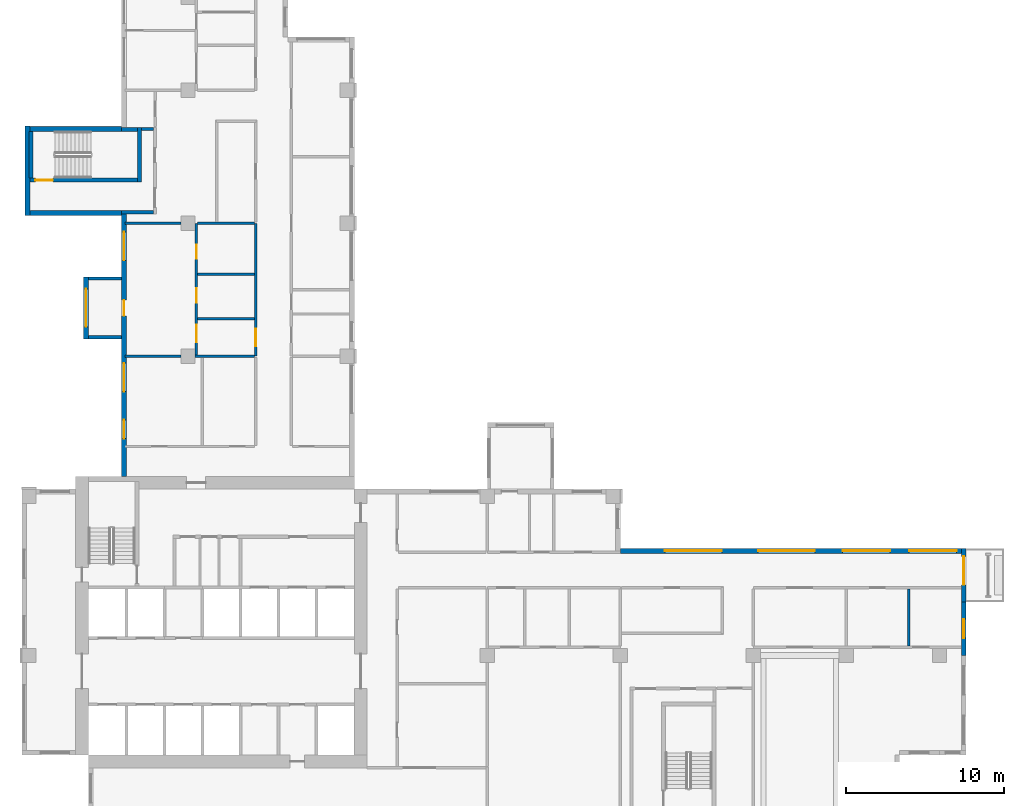
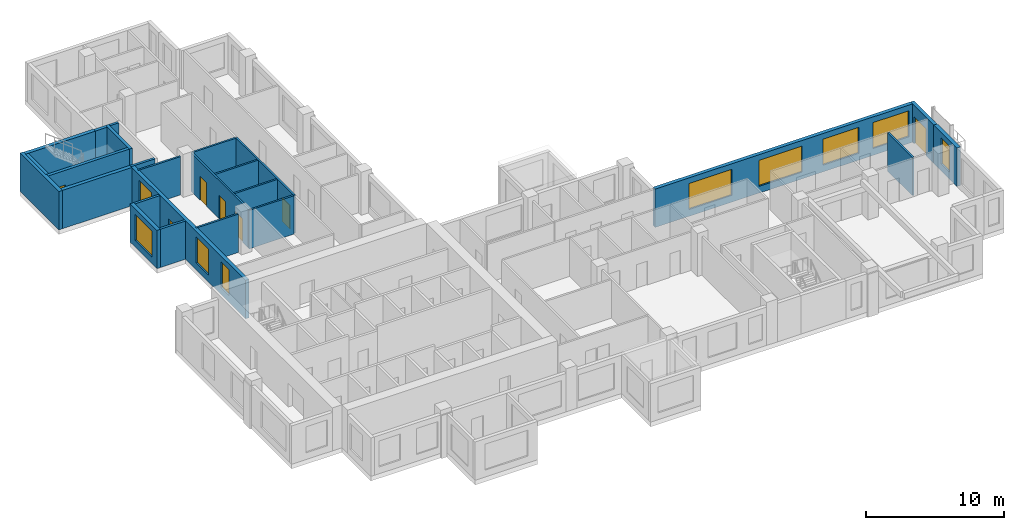
# One storey, part 6 of 12: 25 walls, 9 windows, 7 doors, 16 openings.
"""IFC4 building model written with IfcOpenShell, lengths in metres."""

from ifc_helpers import new_model, si_unit, direction, frame, frame_2d, origin, place, context, subcontext, project, spatial, rectangle, extrude, source, transform, mapped, material, layer, layer_set, type_object, element, fill, save


model = new_model("IFC4")

# Units and contexts
model_context = context("Model", 3, precision=1e-05, world=origin(), true_north=direction((0.0, 1.0)))
body_context = subcontext(model_context, "Body", "Model", "MODEL_VIEW")
ifc_project = project(units=[si_unit("LENGTHUNIT", "METRE"), si_unit("AREAUNIT", "SQUARE_METRE"), si_unit("VOLUMEUNIT", "CUBIC_METRE"), si_unit("PLANEANGLEUNIT", "RADIAN"), si_unit("MASSUNIT", "GRAM", prefix="KILO")], contexts=[model_context])

# Site, building, storey
site_placement = place(None, origin())
site = spatial("IfcSite", under=ifc_project, at=site_placement, CompositionType="ELEMENT")
building_placement = place(site_placement, origin())
building = spatial("IfcBuilding", under=site, at=building_placement, Name="Aurelian Terraces", CompositionType="ELEMENT")
storey_placement = place(building_placement, frame((0.0, 0.0, 196.8)))
storey = spatial("IfcBuildingStorey", under=building, at=storey_placement, Name="L43", CompositionType="ELEMENT", Elevation=196.8)

# Wall
ifc_material_1 = material(Name="Concrete fc' 40 MPa", Category="concrete")
ifc_layer_1 = layer(ifc_material_1, 0.2)
ifc_layer_set_1 = layer_set([ifc_layer_1], Name="BOX BEARING WALL 200")
wall_type_1 = type_object("IfcWallType", Name="BOX BEARING WALL 200", PredefinedType="SOLIDWALL", material=ifc_layer_set_1)
wall_1_placement = place(storey_placement, frame((6.3, 34.3, 0.0), z_axis=(0.0, 0.0, 1.0), x_axis=(-1.0, 0.0, 0.0)))
element("IfcWall", 1, at=wall_1_placement, inside=storey, type_object=wall_type_1, Name="Box return L43 J61.1", PredefinedType="SOLIDWALL", context=body_context, shape_type="SweptSolid", body=[
    extrude(rectangle(XDim=2.1, YDim=0.2, at=frame_2d((1.05, 0.0))), origin(), (0.0, 0.0, 1.0), 3.39),
])

# Wall, opening, window
ifc_layer_2 = layer(ifc_material_1, 0.3)
ifc_layer_set_2 = layer_set([ifc_layer_2], Name="BOX BEARING WALL 300")
wall_type_2 = type_object("IfcWallType", Name="BOX BEARING WALL 300", PredefinedType="SOLIDWALL", material=ifc_layer_set_2)
wall_2_placement = place(storey_placement, frame((4.05, 34.4, 0.0), z_axis=(0.0, 0.0, 1.0), x_axis=(0.0, -1.0, 0.0)))
wall_2 = element("IfcWall", 2, at=wall_2_placement, inside=storey, type_object=wall_type_2, Name="Box wall L43 J61", PredefinedType="SOLIDWALL", context=body_context, shape_type="SweptSolid", body=[
    extrude(rectangle(XDim=3.9, YDim=0.3, at=frame_2d((1.95, 0.0))), origin(), (0.0, 0.0, 1.0), 3.39),
])
shared_shape_1 = source(origin(), body_context, "Body", "SweptSolid", [
    extrude(rectangle(XDim=2.4, YDim=2.3, at=frame_2d((1.2, 1.15))), frame((0.0, 0.16, 0.0), z_axis=(0.0, -1.0, 0.0), x_axis=(1.0, 0.0, 0.0)), (0.0, 0.0, 1.0), 0.32),
])
opening_1_placement = place(wall_2_placement, frame((0.75, 0.0, 0.6)))
opening_1 = element("IfcOpeningElement", 3, at=opening_1_placement, cuts=wall_2, Name="Opening W2423", PredefinedType="OPENING", context=body_context, shape_type="MappedRepresentation", body=[
    mapped(shared_shape_1, transform((0.0, 0.0, 0.0), scale=1.0)),
])
ifc_material_2 = material(Name="Clear glazing", Category="glass")
window_type_1 = type_object("IfcWindowType", Name="W-2400x2300", PartitioningType="SINGLE_PANEL", PredefinedType="WINDOW", material=ifc_material_2)
shared_shape_2 = source(origin(), body_context, "Body", "SweptSolid", [
    extrude(rectangle(XDim=2.4, YDim=2.3, at=frame_2d((1.2, 1.15))), frame((0.0, 0.03, 0.0), z_axis=(0.0, -1.0, 0.0), x_axis=(1.0, 0.0, 0.0)), (0.0, 0.0, 1.0), 0.06),
])
window_1_placement = place(opening_1_placement, origin())
window_1 = element("IfcWindow", 4, at=window_1_placement, inside=storey, type_object=window_type_1, Name="Window L43 J61-F1", OverallHeight=2.3, OverallWidth=2.4, PartitioningType="SINGLE_PANEL", PredefinedType="WINDOW", context=body_context, shape_type="MappedRepresentation", body=[
    mapped(shared_shape_2, transform((0.0, 0.0, 0.0), scale=1.0)),
])
fill(opening_1, window_1)

# Walls
ifc_layer_3 = layer(ifc_material_1, 0.3)
ifc_layer_set_3 = layer_set([ifc_layer_3], Name="STAIR BAY WALL 300")
wall_type_3 = type_object("IfcWallType", Name="STAIR BAY WALL 300", PredefinedType="SOLIDWALL", material=ifc_layer_set_3)
shared_shape_3 = source(origin(), body_context, "Body", "SweptSolid", [
    extrude(rectangle(XDim=6.1, YDim=0.3, at=frame_2d((3.05, 0.0))), origin(), (0.0, 0.0, 1.0), 3.4),
])
for number, where, z_axis, x_axis, name in (
    (5, (6.3, 43.75, 0.0), (0.0, 0.0, 1.0), (-1.0, 0.0, 0.0), "Stair bay wall L43 F13.27"),
    (6, (0.2, 38.45, 0.0), (0.0, 0.0, 1.0), (1.0, 0.0, 0.0), "Stair bay wall L43 F15.29"),
):
    element("IfcWall", number, at=place(storey_placement, frame(where, z_axis=z_axis, x_axis=x_axis)), inside=storey, type_object=wall_type_3, Name=name, PredefinedType="SOLIDWALL", context=body_context, shape_type="MappedRepresentation", body=[
        mapped(shared_shape_3, transform((0.0, 0.0, 0.0), scale=1.0)),
    ])

# Wall, opening, window
ifc_material_3 = material(Name="Terracotta rainscreen cladding", Category="masonry")
ifc_layer_4 = layer(ifc_material_3, 0.3)
ifc_layer_set_4 = layer_set([ifc_layer_4], Name="EW-300")
wall_type_4 = type_object("IfcWallType", Name="EW-300", PredefinedType="STANDARD", material=ifc_layer_set_4)
shared_shape_4 = source(origin(), body_context, "Body", "SweptSolid", [
    extrude(rectangle(XDim=3.375, YDim=0.3, at=frame_2d((1.6875, 0.0))), origin(), (0.0, 0.0, 1.0), 3.4),
])
wall_3_placement = place(storey_placement, frame((59.49, 10.5, 0.0), z_axis=(0.0, 0.0, 1.0), x_axis=(0.0, 1.0, 0.0)))
wall_3 = element("IfcWall", 7, at=wall_3_placement, inside=storey, type_object=wall_type_4, Name="External wall L43 F04.12", PredefinedType="STANDARD", context=body_context, shape_type="MappedRepresentation", body=[
    mapped(shared_shape_4, transform((0.0, 0.0, 0.0), scale=1.0)),
])
shared_shape_5 = source(origin(), body_context, "Body", "SweptSolid", [
    extrude(rectangle(XDim=1.2, YDim=2.3, at=frame_2d((0.6, 1.15))), frame((0.0, 0.16, 0.0), z_axis=(0.0, -1.0, 0.0), x_axis=(1.0, 0.0, 0.0)), (0.0, 0.0, 1.0), 0.32),
])
opening_2_placement = place(wall_3_placement, frame((1.0875, 0.0, 0.6)))
opening_2 = element("IfcOpeningElement", 8, at=opening_2_placement, cuts=wall_3, Name="Opening W1223", PredefinedType="OPENING", context=body_context, shape_type="MappedRepresentation", body=[
    mapped(shared_shape_5, transform((0.0, 0.0, 0.0), scale=1.0)),
])
window_type_2 = type_object("IfcWindowType", Name="W-1200x2300", PartitioningType="SINGLE_PANEL", PredefinedType="WINDOW", material=ifc_material_2)
shared_shape_6 = source(origin(), body_context, "Body", "SweptSolid", [
    extrude(rectangle(XDim=1.2, YDim=2.3, at=frame_2d((0.6, 1.15))), frame((0.0, 0.03, 0.0), z_axis=(0.0, -1.0, 0.0), x_axis=(1.0, 0.0, 0.0)), (0.0, 0.0, 1.0), 0.06),
])
window_2_placement = place(opening_2_placement, origin())
window_2 = element("IfcWindow", 9, at=window_2_placement, inside=storey, type_object=window_type_2, Name="Window L43 L43-F04-12-0", OverallHeight=2.3, OverallWidth=1.2, PartitioningType="SINGLE_PANEL", PredefinedType="WINDOW", context=body_context, shape_type="MappedRepresentation", body=[
    mapped(shared_shape_6, transform((0.0, 0.0, 0.0), scale=1.0)),
])
fill(opening_2, window_2)

# Wall, opening, door
wall_4_placement = place(storey_placement, frame((59.49, 13.875, 0.0), z_axis=(0.0, 0.0, 1.0), x_axis=(0.0, 1.0, 0.0)))
wall_4 = element("IfcWall", 10, at=wall_4_placement, inside=storey, type_object=wall_type_4, Name="External wall L43 F04.13", PredefinedType="STANDARD", context=body_context, shape_type="MappedRepresentation", body=[
    mapped(shared_shape_4, transform((0.0, 0.0, 0.0), scale=1.0)),
])
shared_shape_7 = source(origin(), body_context, "Body", "SweptSolid", [
    extrude(rectangle(XDim=1.8, YDim=2.4, at=frame_2d((0.9, 1.2))), frame((0.0, 0.16, 0.0), z_axis=(0.0, -1.0, 0.0), x_axis=(1.0, 0.0, 0.0)), (0.0, 0.0, 1.0), 0.32),
])
opening_3_placement = place(wall_4_placement, frame((1.0875, 0.0, 0.0)))
opening_3 = element("IfcOpeningElement", 11, at=opening_3_placement, cuts=wall_4, Name="Opening 84301", PredefinedType="OPENING", context=body_context, shape_type="MappedRepresentation", body=[
    mapped(shared_shape_7, transform((0.0, 0.0, 0.0), scale=1.0)),
])
door_type_1 = type_object("IfcDoorType", Name="BD-1800x2400", OperationType="SLIDING_TO_LEFT", PredefinedType="DOOR", material=ifc_material_2)
shared_shape_8 = source(origin(), body_context, "Body", "SweptSolid", [
    extrude(rectangle(XDim=1.8, YDim=2.4, at=frame_2d((0.9, 1.2))), frame((0.0, 0.025, 0.0), z_axis=(0.0, -1.0, 0.0), x_axis=(1.0, 0.0, 0.0)), (0.0, 0.0, 1.0), 0.05),
])
door_1_placement = place(opening_3_placement, origin())
door_1 = element("IfcDoor", 12, at=door_1_placement, inside=storey, type_object=door_type_1, Name="Balcony door L43 F04.13", OperationType="SLIDING_TO_LEFT", OverallHeight=2.4, OverallWidth=1.8, PredefinedType="DOOR", context=body_context, shape_type="MappedRepresentation", body=[
    mapped(shared_shape_8, transform((0.0, 0.0, 0.0), scale=1.0)),
])
fill(opening_3, door_1)

# Wall, openings, windows
shared_shape_9 = source(origin(), body_context, "Body", "SweptSolid", [
    extrude(rectangle(XDim=21.84, YDim=0.3, at=frame_2d((10.92, 0.0))), origin(), (0.0, 0.0, 1.0), 3.4),
])
wall_5_placement = place(storey_placement, frame((59.64, 17.1, 0.0), z_axis=(0.0, 0.0, 1.0), x_axis=(-1.0, 0.0, 0.0)))
wall_5 = element("IfcWall", 13, at=wall_5_placement, inside=storey, type_object=wall_type_4, Name="External wall L43 F05.14", PredefinedType="STANDARD", context=body_context, shape_type="MappedRepresentation", body=[
    mapped(shared_shape_9, transform((0.0, 0.0, 0.0), scale=1.0)),
])
shared_shape_10 = source(origin(), body_context, "Body", "SweptSolid", [
    extrude(rectangle(XDim=3.0, YDim=2.3, at=frame_2d((1.5, 1.15))), frame((0.0, 0.16, 0.0), z_axis=(0.0, -1.0, 0.0), x_axis=(1.0, 0.0, 0.0)), (0.0, 0.0, 1.0), 0.32),
])
opening_4_placement = place(wall_5_placement, frame((0.6, 0.0, 0.6)))
opening_4 = element("IfcOpeningElement", 14, at=opening_4_placement, cuts=wall_5, Name="Opening W3023", PredefinedType="OPENING", context=body_context, shape_type="MappedRepresentation", body=[
    mapped(shared_shape_10, transform((0.0, 0.0, 0.0), scale=1.0)),
])
opening_5_placement = place(wall_5_placement, frame((4.8, 0.0, 0.6)))
opening_5 = element("IfcOpeningElement", 15, at=opening_5_placement, cuts=wall_5, Name="Opening W3023", PredefinedType="OPENING", context=body_context, shape_type="MappedRepresentation", body=[
    mapped(shared_shape_10, transform((0.0, 0.0, 0.0), scale=1.0)),
])
shared_shape_11 = source(origin(), body_context, "Body", "SweptSolid", [
    extrude(rectangle(XDim=3.6, YDim=2.3, at=frame_2d((1.8, 1.15))), frame((0.0, 0.16, 0.0), z_axis=(0.0, -1.0, 0.0), x_axis=(1.0, 0.0, 0.0)), (0.0, 0.0, 1.0), 0.32),
])
opening_6_placement = place(wall_5_placement, frame((9.54, 0.0, 0.6)))
opening_6 = element("IfcOpeningElement", 16, at=opening_6_placement, cuts=wall_5, Name="Opening W3623", PredefinedType="OPENING", context=body_context, shape_type="MappedRepresentation", body=[
    mapped(shared_shape_11, transform((0.0, 0.0, 0.0), scale=1.0)),
])
opening_7_placement = place(wall_5_placement, frame((15.42, 0.0, 0.6)))
opening_7 = element("IfcOpeningElement", 17, at=opening_7_placement, cuts=wall_5, Name="Opening W3623", PredefinedType="OPENING", context=body_context, shape_type="MappedRepresentation", body=[
    mapped(shared_shape_11, transform((0.0, 0.0, 0.0), scale=1.0)),
])
window_type_3 = type_object("IfcWindowType", Name="W-3600x2300", PartitioningType="SINGLE_PANEL", PredefinedType="WINDOW", material=ifc_material_2)
shared_shape_12 = source(origin(), body_context, "Body", "SweptSolid", [
    extrude(rectangle(XDim=3.6, YDim=2.3, at=frame_2d((1.8, 1.15))), frame((0.0, 0.03, 0.0), z_axis=(0.0, -1.0, 0.0), x_axis=(1.0, 0.0, 0.0)), (0.0, 0.0, 1.0), 0.06),
])
window_3_placement = place(opening_6_placement, origin())
window_3 = element("IfcWindow", 18, at=window_3_placement, inside=storey, type_object=window_type_3, Name="Window L43 L43-F05-14-2", OverallHeight=2.3, OverallWidth=3.6, PartitioningType="SINGLE_PANEL", PredefinedType="WINDOW", context=body_context, shape_type="MappedRepresentation", body=[
    mapped(shared_shape_12, transform((0.0, 0.0, 0.0), scale=1.0)),
])
fill(opening_6, window_3)
window_4_placement = place(opening_7_placement, origin())
window_4 = element("IfcWindow", 19, at=window_4_placement, inside=storey, type_object=window_type_3, Name="Window L43 L43-F05-14-3", OverallHeight=2.3, OverallWidth=3.6, PartitioningType="SINGLE_PANEL", PredefinedType="WINDOW", context=body_context, shape_type="MappedRepresentation", body=[
    mapped(shared_shape_12, transform((0.0, 0.0, 0.0), scale=1.0)),
])
fill(opening_7, window_4)
window_type_4 = type_object("IfcWindowType", Name="W-3000x2300", PartitioningType="SINGLE_PANEL", PredefinedType="WINDOW", material=ifc_material_2)
shared_shape_13 = source(origin(), body_context, "Body", "SweptSolid", [
    extrude(rectangle(XDim=3.0, YDim=2.3, at=frame_2d((1.5, 1.15))), frame((0.0, 0.03, 0.0), z_axis=(0.0, -1.0, 0.0), x_axis=(1.0, 0.0, 0.0)), (0.0, 0.0, 1.0), 0.06),
])
window_5_placement = place(opening_4_placement, origin())
window_5 = element("IfcWindow", 20, at=window_5_placement, inside=storey, type_object=window_type_4, Name="Window L43 L43-F05-14-0", OverallHeight=2.3, OverallWidth=3.0, PartitioningType="SINGLE_PANEL", PredefinedType="WINDOW", context=body_context, shape_type="MappedRepresentation", body=[
    mapped(shared_shape_13, transform((0.0, 0.0, 0.0), scale=1.0)),
])
fill(opening_4, window_5)
window_6_placement = place(opening_5_placement, origin())
window_6 = element("IfcWindow", 21, at=window_6_placement, inside=storey, type_object=window_type_4, Name="Window L43 L43-F05-14-1", OverallHeight=2.3, OverallWidth=3.0, PartitioningType="SINGLE_PANEL", PredefinedType="WINDOW", context=body_context, shape_type="MappedRepresentation", body=[
    mapped(shared_shape_13, transform((0.0, 0.0, 0.0), scale=1.0)),
])
fill(opening_5, window_6)

# Wall
shared_shape_14 = source(origin(), body_context, "Body", "SweptSolid", [
    extrude(rectangle(XDim=5.65, YDim=0.3, at=frame_2d((2.825, 0.0))), origin(), (0.0, 0.0, 1.0), 3.4),
])
wall_6_placement = place(storey_placement, frame((0.35, 43.95, 0.0), z_axis=(0.0, 0.0, 1.0), x_axis=(0.0, -1.0, 0.0)))
element("IfcWall", 22, at=wall_6_placement, inside=storey, type_object=wall_type_3, Name="Stair bay wall L43 F14.28", PredefinedType="SOLIDWALL", context=body_context, shape_type="MappedRepresentation", body=[
    mapped(shared_shape_14, transform((0.0, 0.0, 0.0), scale=1.0)),
])

# Wall, openings, windows, door
shared_shape_15 = source(origin(), body_context, "Body", "SweptSolid", [
    extrude(rectangle(XDim=16.6, YDim=0.3, at=frame_2d((8.3, 0.0))), origin(), (0.0, 0.0, 1.0), 3.4),
])
wall_7_placement = place(storey_placement, frame((6.45, 38.4, 0.0), z_axis=(0.0, 0.0, 1.0), x_axis=(0.0, -1.0, 0.0)))
wall_7 = element("IfcWall", 23, at=wall_7_placement, inside=storey, type_object=wall_type_4, Name="External wall L43 F16.30", PredefinedType="STANDARD", context=body_context, shape_type="MappedRepresentation", body=[
    mapped(shared_shape_15, transform((0.0, 0.0, 0.0), scale=1.0)),
])
shared_shape_16 = source(origin(), body_context, "Body", "SweptSolid", [
    extrude(rectangle(XDim=1.8, YDim=2.3, at=frame_2d((0.9, 1.15))), frame((0.0, 0.16, 0.0), z_axis=(0.0, -1.0, 0.0), x_axis=(1.0, 0.0, 0.0)), (0.0, 0.0, 1.0), 0.32),
])
opening_8_placement = place(wall_7_placement, frame((1.15, 0.0, 0.6)))
opening_8 = element("IfcOpeningElement", 24, at=opening_8_placement, cuts=wall_7, Name="Opening W1823", PredefinedType="OPENING", context=body_context, shape_type="MappedRepresentation", body=[
    mapped(shared_shape_16, transform((0.0, 0.0, 0.0), scale=1.0)),
])
opening_9_placement = place(wall_7_placement, frame((9.4375, 0.0, 0.6)))
opening_9 = element("IfcOpeningElement", 25, at=opening_9_placement, cuts=wall_7, Name="Opening W1823", PredefinedType="OPENING", context=body_context, shape_type="MappedRepresentation", body=[
    mapped(shared_shape_16, transform((0.0, 0.0, 0.0), scale=1.0)),
])
opening_10_placement = place(wall_7_placement, frame((13.0125, 0.0, 0.6)))
opening_10 = element("IfcOpeningElement", 26, at=opening_10_placement, cuts=wall_7, Name="Opening W1223", PredefinedType="OPENING", context=body_context, shape_type="MappedRepresentation", body=[
    mapped(shared_shape_5, transform((0.0, 0.0, 0.0), scale=1.0)),
])
shared_shape_17 = source(origin(), body_context, "Body", "SweptSolid", [
    extrude(rectangle(XDim=1.0, YDim=2.1, at=frame_2d((0.5, 1.05))), frame((0.0, 0.16, 0.0), z_axis=(0.0, -1.0, 0.0), x_axis=(1.0, 0.0, 0.0)), (0.0, 0.0, 1.0), 0.32),
])
opening_11_placement = place(wall_7_placement, frame((5.45, 0.0, 0.0)))
opening_11 = element("IfcOpeningElement", 27, at=opening_11_placement, cuts=wall_7, Name="Opening 843004", PredefinedType="OPENING", context=body_context, shape_type="MappedRepresentation", body=[
    mapped(shared_shape_17, transform((0.0, 0.0, 0.0), scale=1.0)),
])
window_7_placement = place(opening_10_placement, origin())
window_7 = element("IfcWindow", 28, at=window_7_placement, inside=storey, type_object=window_type_2, Name="Window L43 L43-F16-30-3", OverallHeight=2.3, OverallWidth=1.2, PartitioningType="SINGLE_PANEL", PredefinedType="WINDOW", context=body_context, shape_type="MappedRepresentation", body=[
    mapped(shared_shape_6, transform((0.0, 0.0, 0.0), scale=1.0)),
])
fill(opening_10, window_7)
window_type_5 = type_object("IfcWindowType", Name="W-1800x2300", PartitioningType="SINGLE_PANEL", PredefinedType="WINDOW", material=ifc_material_2)
shared_shape_18 = source(origin(), body_context, "Body", "SweptSolid", [
    extrude(rectangle(XDim=1.8, YDim=2.3, at=frame_2d((0.9, 1.15))), frame((0.0, 0.03, 0.0), z_axis=(0.0, -1.0, 0.0), x_axis=(1.0, 0.0, 0.0)), (0.0, 0.0, 1.0), 0.06),
])
window_8_placement = place(opening_8_placement, origin())
window_8 = element("IfcWindow", 29, at=window_8_placement, inside=storey, type_object=window_type_5, Name="Window L43 L43-F16-30-0", OverallHeight=2.3, OverallWidth=1.8, PartitioningType="SINGLE_PANEL", PredefinedType="WINDOW", context=body_context, shape_type="MappedRepresentation", body=[
    mapped(shared_shape_18, transform((0.0, 0.0, 0.0), scale=1.0)),
])
fill(opening_8, window_8)
window_9_placement = place(opening_9_placement, origin())
window_9 = element("IfcWindow", 30, at=window_9_placement, inside=storey, type_object=window_type_5, Name="Window L43 L43-F16-30-2", OverallHeight=2.3, OverallWidth=1.8, PartitioningType="SINGLE_PANEL", PredefinedType="WINDOW", context=body_context, shape_type="MappedRepresentation", body=[
    mapped(shared_shape_18, transform((0.0, 0.0, 0.0), scale=1.0)),
])
fill(opening_9, window_9)
ifc_material_4 = material(Name="Timber door leaf", Category="wood")
door_type_2 = type_object("IfcDoorType", Name="Room door 1000x2100 left", OperationType="SINGLE_SWING_LEFT", PredefinedType="DOOR", material=ifc_material_4)
shared_shape_19 = source(origin(), body_context, "Body", "SweptSolid", [
    extrude(rectangle(XDim=1.0, YDim=2.1, at=frame_2d((0.5, 1.05))), frame((0.0, 0.025, 0.0), z_axis=(0.0, -1.0, 0.0), x_axis=(1.0, 0.0, 0.0)), (0.0, 0.0, 1.0), 0.05),
])
door_2_placement = place(opening_11_placement, origin())
door_2 = element("IfcDoor", 31, at=door_2_placement, inside=storey, type_object=door_type_2, Name="Door 843004", OperationType="SINGLE_SWING_LEFT", OverallHeight=2.1, OverallWidth=1.0, PredefinedType="DOOR", context=body_context, shape_type="MappedRepresentation", body=[
    mapped(shared_shape_19, transform((0.0, 0.0, 0.0), scale=1.0)),
])
fill(opening_11, door_2)

# Wall
shared_shape_20 = source(origin(), body_context, "Body", "SweptSolid", [
    extrude(rectangle(XDim=2.1, YDim=0.2, at=frame_2d((1.05, 0.0))), origin(), (0.0, 0.0, 1.0), 3.39),
])
wall_8_placement = place(storey_placement, frame((6.3, 30.6, 0.0), z_axis=(0.0, 0.0, 1.0), x_axis=(-1.0, 0.0, 0.0)))
element("IfcWall", 32, at=wall_8_placement, inside=storey, type_object=wall_type_1, Name="Box return L43 J61.2", PredefinedType="SOLIDWALL", context=body_context, shape_type="MappedRepresentation", body=[
    mapped(shared_shape_20, transform((0.0, 0.0, 0.0), scale=1.0)),
])

# Wall, opening, door
ifc_layer_5 = layer(ifc_material_1, 0.25)
ifc_layer_set_5 = layer_set([ifc_layer_5], Name="Stair enclosure wall 250")
wall_type_5 = type_object("IfcWallType", Name="Stair enclosure wall 250", PredefinedType="SOLIDWALL", material=ifc_layer_set_5)
shared_shape_21 = source(origin(), body_context, "Body", "SweptSolid", [
    extrude(rectangle(XDim=7.0, YDim=0.25, at=frame_2d((3.5, 0.0))), origin(), (0.0, 0.0, 1.0), 3.4),
])
wall_9_placement = place(storey_placement, frame((0.3, 40.525, 0.0), z_axis=(0.0, 0.0, 1.0), x_axis=(1.0, 0.0, 0.0)))
wall_9 = element("IfcWall", 33, at=wall_9_placement, inside=storey, type_object=wall_type_5, Name="L43 core wall ST-S3-W", PredefinedType="SOLIDWALL", context=body_context, shape_type="MappedRepresentation", body=[
    mapped(shared_shape_21, transform((0.0, 0.0, 0.0), scale=1.0)),
])
shared_shape_22 = source(origin(), body_context, "Body", "SweptSolid", [
    extrude(rectangle(XDim=1.1, YDim=2.1, at=frame_2d((0.55, 1.05))), frame((0.0, 0.135, 0.0), z_axis=(0.0, -1.0, 0.0), x_axis=(1.0, 0.0, 0.0)), (0.0, 0.0, 1.0), 0.27),
])
opening_12_placement = place(wall_9_placement, frame((0.55, 0.0, 0.0)))
opening_12 = element("IfcOpeningElement", 34, at=opening_12_placement, cuts=wall_9, Name="Opening 64620", PredefinedType="OPENING", context=body_context, shape_type="MappedRepresentation", body=[
    mapped(shared_shape_22, transform((0.0, 0.0, 0.0), scale=1.0)),
])
ifc_material_5 = material(Name="Steel door leaf", Category="steel")
door_type_3 = type_object("IfcDoorType", Name="Core fire door 1100x2100", OperationType="SINGLE_SWING_LEFT", PredefinedType="DOOR", material=ifc_material_5)
shared_shape_23 = source(origin(), body_context, "Body", "SweptSolid", [
    extrude(rectangle(XDim=1.1, YDim=2.1, at=frame_2d((0.55, 1.05))), frame((0.0, 0.025, 0.0), z_axis=(0.0, -1.0, 0.0), x_axis=(1.0, 0.0, 0.0)), (0.0, 0.0, 1.0), 0.05),
])
door_3_placement = place(opening_12_placement, origin())
door_3 = element("IfcDoor", 35, at=door_3_placement, inside=storey, type_object=door_type_3, Name="Stair door 64620", OperationType="SINGLE_SWING_LEFT", OverallHeight=2.1, OverallWidth=1.1, PredefinedType="DOOR", context=body_context, shape_type="MappedRepresentation", body=[
    mapped(shared_shape_23, transform((0.0, 0.0, 0.0), scale=1.0)),
])
fill(opening_12, door_3)

# Walls
shared_shape_24 = source(origin(), body_context, "Body", "SweptSolid", [
    extrude(rectangle(XDim=3.45, YDim=0.25, at=frame_2d((1.725, 0.0))), origin(), (0.0, 0.0, 1.0), 3.4),
])
wall_10_placement = place(storey_placement, frame((7.425, 40.4, 0.0), z_axis=(0.0, 0.0, 1.0), x_axis=(0.0, 1.0, 0.0)))
element("IfcWall", 36, at=wall_10_placement, inside=storey, type_object=wall_type_5, Name="L43 core wall ST-S3-N", PredefinedType="SOLIDWALL", context=body_context, shape_type="MappedRepresentation", body=[
    mapped(shared_shape_24, transform((0.0, 0.0, 0.0), scale=1.0)),
])
shared_shape_25 = source(origin(), body_context, "Body", "SweptSolid", [
    extrude(rectangle(XDim=2.95, YDim=0.25, at=frame_2d((1.475, 0.0))), origin(), (0.0, 0.0, 1.0), 3.4),
])
wall_11_placement = place(storey_placement, frame((0.575, 40.65, 0.0), z_axis=(0.0, 0.0, 1.0), x_axis=(0.0, 1.0, 0.0)))
element("IfcWall", 37, at=wall_11_placement, inside=storey, type_object=wall_type_5, Name="L43 core wall ST-S3-SS", PredefinedType="SOLIDWALL", context=body_context, shape_type="MappedRepresentation", body=[
    mapped(shared_shape_25, transform((0.0, 0.0, 0.0), scale=1.0)),
])
ifc_material_6 = material(Name="Gypsum board on steel studs", Category="steel")
ifc_layer_6 = layer(ifc_material_6, 0.2)
ifc_layer_set_6 = layer_set([ifc_layer_6], Name="Core partition 200")
wall_type_6 = type_object("IfcWallType", Name="Core partition 200", PredefinedType="PARTITIONING", material=ifc_layer_set_6)
shared_shape_26 = source(origin(), body_context, "Body", "SweptSolid", [
    extrude(rectangle(XDim=0.75, YDim=0.2, at=frame_2d((0.375, 0.0))), origin(), (0.0, 0.0, 1.0), 3.4),
])
wall_12_placement = place(storey_placement, frame((7.55, 43.75, 0.0), z_axis=(0.0, 0.0, 1.0), x_axis=(1.0, 0.0, 0.0)))
element("IfcWall", 38, at=wall_12_placement, inside=storey, type_object=wall_type_6, Name="L43 core wall ST-S3-RE", PredefinedType="PARTITIONING", context=body_context, shape_type="MappedRepresentation", body=[
    mapped(shared_shape_26, transform((0.0, 0.0, 0.0), scale=1.0)),
])
shared_shape_27 = source(origin(), body_context, "Body", "SweptSolid", [
    extrude(rectangle(XDim=1.0, YDim=0.25, at=frame_2d((0.5, 0.0))), origin(), (0.0, 0.0, 1.0), 3.4),
])
wall_13_placement = place(storey_placement, frame((6.3, 43.725, 0.0), z_axis=(0.0, 0.0, 1.0), x_axis=(1.0, 0.0, 0.0)))
element("IfcWall", 39, at=wall_13_placement, inside=storey, type_object=wall_type_5, Name="L43 core wall ST-S3-E", PredefinedType="SOLIDWALL", context=body_context, shape_type="MappedRepresentation", body=[
    mapped(shared_shape_27, transform((0.0, 0.0, 0.0), scale=1.0)),
])
shared_shape_28 = source(origin(), body_context, "Body", "SweptSolid", [
    extrude(rectangle(XDim=2.0, YDim=0.2, at=frame_2d((1.0, 0.0))), origin(), (0.0, 0.0, 1.0), 3.4),
])
wall_14_placement = place(storey_placement, frame((6.3, 38.5, 0.0), z_axis=(0.0, 0.0, 1.0), x_axis=(1.0, 0.0, 0.0)))
element("IfcWall", 40, at=wall_14_placement, inside=storey, type_object=wall_type_6, Name="L43 core wall ST-S3-VW", PredefinedType="PARTITIONING", context=body_context, shape_type="MappedRepresentation", body=[
    mapped(shared_shape_28, transform((0.0, 0.0, 0.0), scale=1.0)),
])
ifc_layer_7 = layer(ifc_material_6, 0.15)
ifc_layer_set_7 = layer_set([ifc_layer_7], Name="Partition 150")
wall_type_7 = type_object("IfcWallType", Name="Partition 150", PredefinedType="PARTITIONING", material=ifc_layer_set_7)
shared_shape_29 = source(origin(), body_context, "Body", "SweptSolid", [
    extrude(rectangle(XDim=3.6, YDim=0.15, at=frame_2d((1.8, 0.0))), origin(), (0.0, 0.0, 1.0), 3.4),
])
for number, where, z_axis, x_axis, name in (
    (41, (56.0269, 11.1, 0.0), (0.0, 0.0, 1.0), (0.0, 1.0, 0.0), "Partition"),
    (42, (14.7, 31.7771, 0.0), (0.0, 0.0, 1.0), (-1.0, 0.0, 0.0), "Partition"),
    (43, (14.7, 34.5827, 0.0), (0.0, 0.0, 1.0), (-1.0, 0.0, 0.0), "Partition"),
):
    element("IfcWall", number, at=place(storey_placement, frame(where, z_axis=z_axis, x_axis=x_axis)), inside=storey, type_object=wall_type_7, Name=name, PredefinedType="PARTITIONING", context=body_context, shape_type="MappedRepresentation", body=[
        mapped(shared_shape_29, transform((0.0, 0.0, 0.0), scale=1.0)),
    ])
ifc_layer_8 = layer(ifc_material_6, 0.15)
ifc_layer_set_8 = layer_set([ifc_layer_8], Name="Fire partition 150")
wall_type_8 = type_object("IfcWallType", Name="Fire partition 150", PredefinedType="PARTITIONING", material=ifc_layer_set_8)
wall_15_placement = place(storey_placement, frame((14.7, 37.8, 0.0), z_axis=(0.0, 0.0, 1.0), x_axis=(-1.0, 0.0, 0.0)))
element("IfcWall", 44, at=wall_15_placement, inside=storey, type_object=wall_type_8, Name="Party wall", PredefinedType="PARTITIONING", context=body_context, shape_type="MappedRepresentation", body=[
    mapped(shared_shape_29, transform((0.0, 0.0, 0.0), scale=1.0)),
])

# Wall, openings, doors
shared_shape_30 = source(origin(), body_context, "Body", "SweptSolid", [
    extrude(rectangle(XDim=8.4, YDim=0.15, at=frame_2d((4.2, 0.0))), origin(), (0.0, 0.0, 1.0), 3.4),
])
wall_16_placement = place(storey_placement, frame((11.025, 29.4, 0.0), z_axis=(0.0, 0.0, 1.0), x_axis=(0.0, 1.0, 0.0)))
wall_16 = element("IfcWall", 45, at=wall_16_placement, inside=storey, type_object=wall_type_7, Name="Partition", PredefinedType="PARTITIONING", context=body_context, shape_type="MappedRepresentation", body=[
    mapped(shared_shape_30, transform((0.0, 0.0, 0.0), scale=1.0)),
])
shared_shape_31 = source(origin(), body_context, "Body", "SweptSolid", [
    extrude(rectangle(XDim=1.1, YDim=2.1, at=frame_2d((0.55, 1.05))), frame((0.0, 0.085, 0.0), z_axis=(0.0, -1.0, 0.0), x_axis=(1.0, 0.0, 0.0)), (0.0, 0.0, 1.0), 0.17),
])
opening_13_placement = place(wall_16_placement, frame((0.876, 0.0, 0.0)))
opening_13 = element("IfcOpeningElement", 46, at=opening_13_placement, cuts=wall_16, Name="Opening 743025", PredefinedType="OPENING", context=body_context, shape_type="MappedRepresentation", body=[
    mapped(shared_shape_31, transform((0.0, 0.0, 0.0), scale=1.0)),
])
shared_shape_32 = source(origin(), body_context, "Body", "SweptSolid", [
    extrude(rectangle(XDim=0.9, YDim=2.1, at=frame_2d((0.45, 1.05))), frame((0.0, 0.085, 0.0), z_axis=(0.0, -1.0, 0.0), x_axis=(1.0, 0.0, 0.0)), (0.0, 0.0, 1.0), 0.17),
])
opening_14_placement = place(wall_16_placement, frame((3.3799, 0.0, 0.0)))
opening_14 = element("IfcOpeningElement", 47, at=opening_14_placement, cuts=wall_16, Name="Opening 743026", PredefinedType="OPENING", context=body_context, shape_type="MappedRepresentation", body=[
    mapped(shared_shape_32, transform((0.0, 0.0, 0.0), scale=1.0)),
])
opening_15_placement = place(wall_16_placement, frame((6.1538, 0.0, 0.0)))
opening_15 = element("IfcOpeningElement", 48, at=opening_15_placement, cuts=wall_16, Name="Opening 743027", PredefinedType="OPENING", context=body_context, shape_type="MappedRepresentation", body=[
    mapped(shared_shape_32, transform((0.0, 0.0, 0.0), scale=1.0)),
])
door_type_4 = type_object("IfcDoorType", Name="Room door 900x2100 right", OperationType="SINGLE_SWING_RIGHT", PredefinedType="DOOR", material=ifc_material_4)
shared_shape_33 = source(origin(), body_context, "Body", "SweptSolid", [
    extrude(rectangle(XDim=0.9, YDim=2.1, at=frame_2d((0.45, 1.05))), frame((0.0, 0.025, 0.0), z_axis=(0.0, -1.0, 0.0), x_axis=(1.0, 0.0, 0.0)), (0.0, 0.0, 1.0), 0.05),
])
door_4_placement = place(opening_14_placement, origin())
door_4 = element("IfcDoor", 49, at=door_4_placement, inside=storey, type_object=door_type_4, Name="Door 743026", OperationType="SINGLE_SWING_RIGHT", OverallHeight=2.1, OverallWidth=0.9, PredefinedType="DOOR", context=body_context, shape_type="MappedRepresentation", body=[
    mapped(shared_shape_33, transform((0.0, 0.0, 0.0), scale=1.0)),
])
fill(opening_14, door_4)
door_type_5 = type_object("IfcDoorType", Name="Room door 900x2100 left", OperationType="SINGLE_SWING_LEFT", PredefinedType="DOOR", material=ifc_material_4)
door_5_placement = place(opening_15_placement, origin())
door_5 = element("IfcDoor", 50, at=door_5_placement, inside=storey, type_object=door_type_5, Name="Door 743027", OperationType="SINGLE_SWING_LEFT", OverallHeight=2.1, OverallWidth=0.9, PredefinedType="DOOR", context=body_context, shape_type="MappedRepresentation", body=[
    mapped(shared_shape_33, transform((0.0, 0.0, 0.0), scale=1.0)),
])
fill(opening_15, door_5)
door_type_6 = type_object("IfcDoorType", Name="Room door 1100x2100 left", OperationType="SINGLE_SWING_LEFT", PredefinedType="DOOR", material=ifc_material_4)
door_6_placement = place(opening_13_placement, origin())
door_6 = element("IfcDoor", 51, at=door_6_placement, inside=storey, type_object=door_type_6, Name="Door 743025", OperationType="SINGLE_SWING_LEFT", OverallHeight=2.1, OverallWidth=1.1, PredefinedType="DOOR", context=body_context, shape_type="MappedRepresentation", body=[
    mapped(shared_shape_23, transform((0.0, 0.0, 0.0), scale=1.0)),
])
fill(opening_13, door_6)

# Wall, opening, door
wall_17_placement = place(storey_placement, frame((14.775, 29.4, 0.0), z_axis=(0.0, 0.0, 1.0), x_axis=(0.0, 1.0, 0.0)))
wall_17 = element("IfcWall", 52, at=wall_17_placement, inside=storey, type_object=wall_type_8, Name="Corridor wall", PredefinedType="PARTITIONING", context=body_context, shape_type="MappedRepresentation", body=[
    mapped(shared_shape_30, transform((0.0, 0.0, 0.0), scale=1.0)),
])
opening_16_placement = place(wall_17_placement, frame((0.6385, 0.0, 0.0)))
opening_16 = element("IfcOpeningElement", 53, at=opening_16_placement, cuts=wall_17, Name="Opening 743024", PredefinedType="OPENING", context=body_context, shape_type="MappedRepresentation", body=[
    mapped(shared_shape_31, transform((0.0, 0.0, 0.0), scale=1.0)),
])
door_type_7 = type_object("IfcDoorType", Name="Entrance fire door 1100x2100 right", OperationType="SINGLE_SWING_RIGHT", PredefinedType="DOOR", material=ifc_material_5)
door_7_placement = place(opening_16_placement, origin())
door_7 = element("IfcDoor", 54, at=door_7_placement, inside=storey, type_object=door_type_7, Name="Door 743024", OperationType="SINGLE_SWING_RIGHT", OverallHeight=2.1, OverallWidth=1.1, PredefinedType="DOOR", context=body_context, shape_type="MappedRepresentation", body=[
    mapped(shared_shape_23, transform((0.0, 0.0, 0.0), scale=1.0)),
])
fill(opening_16, door_7)

# Walls
shared_shape_34 = source(origin(), body_context, "Body", "SweptSolid", [
    extrude(rectangle(XDim=3.546, YDim=0.15, at=frame_2d((1.773, 0.0))), origin(), (0.0, 0.0, 1.0), 3.4),
])
wall_18_placement = place(storey_placement, frame((10.051, 29.4, 0.0), z_axis=(0.0, 0.0, 1.0), x_axis=(-1.0, 0.0, 0.0)))
element("IfcWall", 55, at=wall_18_placement, inside=storey, type_object=wall_type_7, Name="Partition", PredefinedType="PARTITIONING", context=body_context, shape_type="MappedRepresentation", body=[
    mapped(shared_shape_34, transform((0.0, 0.0, 0.0), scale=1.0)),
])
wall_19_placement = place(storey_placement, frame((10.051, 37.8, 0.0), z_axis=(0.0, 0.0, 1.0), x_axis=(-1.0, 0.0, 0.0)))
element("IfcWall", 56, at=wall_19_placement, inside=storey, type_object=wall_type_8, Name="Party wall", PredefinedType="PARTITIONING", context=body_context, shape_type="MappedRepresentation", body=[
    mapped(shared_shape_34, transform((0.0, 0.0, 0.0), scale=1.0)),
])
shared_shape_35 = source(origin(), body_context, "Body", "SweptSolid", [
    extrude(rectangle(XDim=3.751, YDim=0.15, at=frame_2d((1.8755, 0.0))), origin(), (0.0, 0.0, 1.0), 3.4),
])
wall_20_placement = place(storey_placement, frame((14.7, 29.4, 0.0), z_axis=(0.0, 0.0, 1.0), x_axis=(-1.0, 0.0, 0.0)))
element("IfcWall", 57, at=wall_20_placement, inside=storey, type_object=wall_type_7, Name="Partition", PredefinedType="PARTITIONING", context=body_context, shape_type="MappedRepresentation", body=[
    mapped(shared_shape_35, transform((0.0, 0.0, 0.0), scale=1.0)),
])

save(model, "model.ifc")
